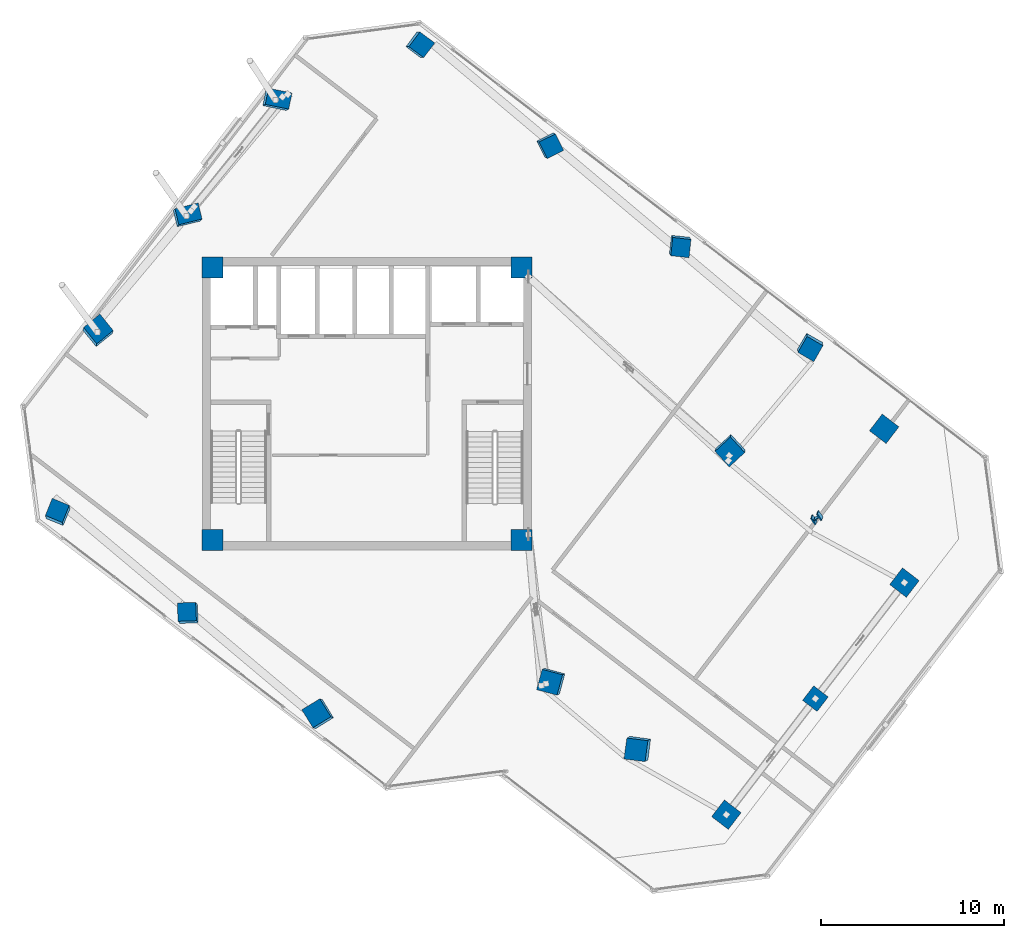
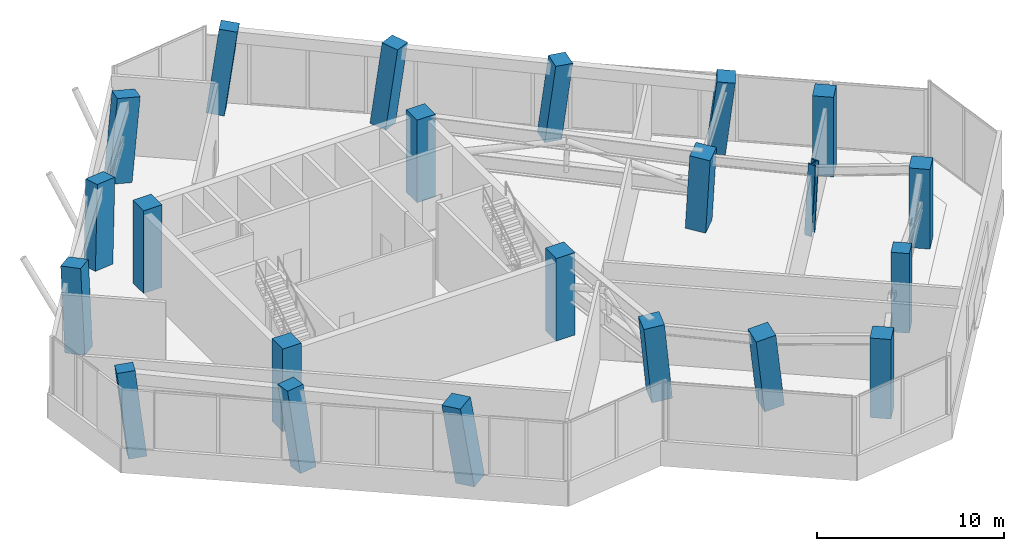
# One storey, part 1 of 22: 22 columns.
"""IFC4 building model written with IfcOpenShell, lengths in metres."""

from ifc_helpers import new_model, si_unit, direction, frame, origin, origin_2d, place, context, subcontext, project, spatial, rectangle, i_section, extrude, clip, halfspace, source, transform, mapped, material, material_profile, profile_set, type_object, element, save


model = new_model("IFC4")

# Units and contexts
model_context = context("Model", 3, precision=1e-05, world=origin(), true_north=direction((0.0, 1.0)))
body_context = subcontext(model_context, "Body", "Model", "MODEL_VIEW")
ifc_project = project(units=[si_unit("LENGTHUNIT", "METRE"), si_unit("AREAUNIT", "SQUARE_METRE"), si_unit("VOLUMEUNIT", "CUBIC_METRE"), si_unit("PLANEANGLEUNIT", "RADIAN"), si_unit("MASSUNIT", "GRAM", prefix="KILO")], contexts=[model_context])

# Site, building, storey
site_placement = place(None, origin())
site = spatial("IfcSite", under=ifc_project, at=site_placement, CompositionType="ELEMENT")
building_placement = place(site_placement, origin())
building = spatial("IfcBuilding", under=site, at=building_placement, Name="Torre Montelarca", CompositionType="ELEMENT")
storey_placement = place(building_placement, frame((0.0, 0.0, 209.800048828125)))
storey = spatial("IfcBuildingStorey", under=building, at=storey_placement, Name="L47", CompositionType="ELEMENT", Elevation=209.800048828125)

# Columns
ifc_material_1 = material(Name="Concrete C55/67", Category="concrete")
ifc_material_profile_1 = material_profile(ifc_material_1, rectangle(XDim=0.89990234375, YDim=1.300048828125, at=origin_2d()), Name="RC1300X900", Category="concrete")
ifc_profile_set_1 = profile_set([ifc_material_profile_1], Name="Concrete C55/67")
column_type_1 = type_object("IfcColumnType", Name="COL-PIL1300-EXT", PredefinedType="PILASTER", material=ifc_profile_set_1)
column_1_placement = place(storey_placement, frame((8.132080078125, 42.257568359375, 0.0), z_axis=(0.084445391956, 0.105231949976, 0.990855798026), x_axis=(0.241238242794, -0.966983758558, 0.082137207758)))
element("IfcColumn", 1, at=column_1_placement, inside=storey, type_object=column_type_1, Name="L47 Column 1W/E", PredefinedType="PILASTER", context=body_context, shape_type="Clipping", body=[
    clip(clip(extrude(rectangle(XDim=0.89990234375, YDim=1.300048828125, at=origin_2d()), origin(), (0.0, 0.0, 1.0), 5.44970703125), halfspace(frame((0.0, 0.0, 0.108154296875), z_axis=(0.0, 0.0, -1.0), x_axis=(1.0, 0.0, 0.0)), False)), halfspace(frame((0.0, 0.0, 5.341552734375), z_axis=(0.0, 0.0, 1.0), x_axis=(1.0, 0.0, 0.0)), False)),
])
column_2_placement = place(storey_placement, frame((13.002197265625, 48.6044921875, 0.0), z_axis=(0.134121551023, 0.064959537879, 0.988833488505), x_axis=(-0.1959437346, -0.976409676574, 0.090720429689)))
element("IfcColumn", 2, at=column_2_placement, inside=storey, type_object=column_type_1, Name="L47 Column 1W/F", PredefinedType="PILASTER", context=body_context, shape_type="Clipping", body=[
    clip(clip(extrude(rectangle(XDim=0.89990234375, YDim=1.300048828125, at=origin_2d()), origin(), (0.0, 0.0, 1.0), 5.4609375), halfspace(frame((0.0, 0.0, 0.11962890625), z_axis=(0.0, 0.0, -1.0), x_axis=(1.0, 0.0, 0.0)), False)), halfspace(frame((0.0, 0.0, 5.34130859375), z_axis=(0.0, 0.0, 1.0), x_axis=(1.0, 0.0, 0.0)), False)),
])
ifc_material_profile_2 = material_profile(ifc_material_1, rectangle(XDim=1.0, YDim=1.0, at=origin_2d()), Name="RC1000X1000", Category="concrete")
ifc_profile_set_2 = profile_set([ifc_material_profile_2], Name="Concrete C55/67")
column_type_2 = type_object("IfcColumnType", Name="COL-RC1000-EXT", PredefinedType="COLUMN", material=ifc_profile_set_2)
column_3_placement = place(storey_placement, frame((1.1123046875, 25.9638671875, 0.0), z_axis=(-0.044514743961, 0.163354405765, 0.985562669589), x_axis=(0.923184915789, -0.370278518826, 0.103070023551)))
element("IfcColumn", 3, at=column_3_placement, inside=storey, type_object=column_type_2, Name="L47 Column 2/CS", PredefinedType="COLUMN", context=body_context, shape_type="Clipping", body=[
    clip(clip(extrude(rectangle(XDim=1.0, YDim=1.0, at=origin_2d()), origin(), (0.0, 0.0, 1.0), 5.47900390625), halfspace(frame((0.0, 0.0, 0.12109375), z_axis=(0.0, 0.0, -1.0), x_axis=(1.0, 0.0, 0.0)), False)), halfspace(frame((0.0, 0.0, 5.35791015625), z_axis=(0.0, 0.0, 1.0), x_axis=(1.0, 0.0, 0.0)), False)),
])
column_4_placement = place(storey_placement, frame((20.805908203125, 51.62890625, 0.0), z_axis=(0.156689074069, 0.002098713731, 0.987645751), x_axis=(-0.590561389669, -0.801334557627, 0.095394820533)))
element("IfcColumn", 4, at=column_4_placement, inside=storey, type_object=column_type_2, Name="L47 Column 2/GN", PredefinedType="COLUMN", context=body_context, shape_type="Clipping", body=[
    clip(clip(extrude(rectangle(XDim=1.0, YDim=1.0, at=origin_2d()), origin(), (0.0, 0.0, 1.0), 5.467529296875), halfspace(frame((0.0, 0.0, 0.112060546875), z_axis=(0.0, 0.0, -1.0), x_axis=(1.0, 0.0, 0.0)), False)), halfspace(frame((0.0, 0.0, 5.35546875), z_axis=(0.0, 0.0, 1.0), x_axis=(1.0, 0.0, 0.0)), False)),
])
column_5_placement = place(storey_placement, frame((8.252685546875, 20.485107421875, 0.0), z_axis=(-0.089797034875, 0.107926545905, 0.990095123317), x_axis=(0.995364860446, 0.044089068892, 0.085468991996)))
element("IfcColumn", 5, at=column_5_placement, inside=storey, type_object=column_type_2, Name="L47 Column 3/CS", PredefinedType="COLUMN", context=body_context, shape_type="Clipping", body=[
    clip(clip(extrude(rectangle(XDim=1.0, YDim=1.0, at=origin_2d()), origin(), (0.0, 0.0, 1.0), 5.453857421875), halfspace(frame((0.0, 0.0, 0.10009765625), z_axis=(0.0, 0.0, -1.0), x_axis=(1.0, 0.0, 0.0)), False)), halfspace(frame((0.0, 0.0, 5.353759765625), z_axis=(0.0, 0.0, 1.0), x_axis=(1.0, 0.0, 0.0)), False)),
])
column_6_placement = place(storey_placement, frame((27.946044921875, 46.14990234375, 0.0), z_axis=(0.112283052496, -0.054145283405, 0.992199982064), x_axis=(-0.888657572236, -0.45224887108, 0.075885953337)))
element("IfcColumn", 6, at=column_6_placement, inside=storey, type_object=column_type_2, Name="L47 Column 3/GN", PredefinedType="COLUMN", context=body_context, shape_type="Clipping", body=[
    clip(clip(extrude(rectangle(XDim=1.0, YDim=1.0, at=origin_2d()), origin(), (0.0, 0.0, 1.0), 5.4423828125), halfspace(frame((0.0, 0.0, 0.0888671875), z_axis=(0.0, 0.0, -1.0), x_axis=(1.0, 0.0, 0.0)), False)), halfspace(frame((0.0, 0.0, 5.353515625), z_axis=(0.0, 0.0, 1.0), x_axis=(1.0, 0.0, 0.0)), False)),
])
column_7_placement = place(storey_placement, frame((35.086181640625, 40.671142578125, 0.0), z_axis=(0.067071010538, -0.110335399021, 0.991628750727), x_axis=(-0.991493864519, 0.103736571478, 0.078604327865)))
element("IfcColumn", 7, at=column_7_placement, inside=storey, type_object=column_type_2, Name="L47 Column 4/GN", PredefinedType="COLUMN", context=body_context, shape_type="Clipping", body=[
    clip(clip(extrude(rectangle(XDim=1.0, YDim=1.0, at=origin_2d()), origin(), (0.0, 0.0, 1.0), 5.445556640625), halfspace(frame((0.0, 0.0, 0.092041015625), z_axis=(0.0, 0.0, -1.0), x_axis=(1.0, 0.0, 0.0)), False)), halfspace(frame((0.0, 0.0, 5.353515625), z_axis=(0.0, 0.0, 1.0), x_axis=(1.0, 0.0, 0.0)), False)),
])
column_8_placement = place(storey_placement, frame((42.226318359375, 35.1923828125, 0.0), z_axis=(0.021842491173, -0.165646320817, 0.985943305662), x_axis=(-0.865009771879, 0.491337730727, 0.101711990035)))
element("IfcColumn", 8, at=column_8_placement, inside=storey, type_object=column_type_2, Name="L47 Column 5/GN", PredefinedType="COLUMN", context=body_context, shape_type="Clipping", body=[
    clip(clip(extrude(rectangle(XDim=1.0, YDim=1.0, at=origin_2d()), origin(), (0.0, 0.0, 1.0), 5.476806640625), halfspace(frame((0.0, 0.0, 0.11962890625), z_axis=(0.0, 0.0, -1.0), x_axis=(1.0, 0.0, 0.0)), False)), halfspace(frame((0.0, 0.0, 5.357177734375), z_axis=(0.0, 0.0, 1.0), x_axis=(1.0, 0.0, 0.0)), False)),
])
ifc_material_profile_3 = material_profile(ifc_material_1, rectangle(XDim=1.14990234375, YDim=1.14990234375, at=origin_2d()), Name="RC1150X1150", Category="concrete")
ifc_profile_set_3 = profile_set([ifc_material_profile_3], Name="Concrete C55/67")
column_type_3 = type_object("IfcColumnType", Name="COL-RC1150", PredefinedType="COLUMN", material=ifc_profile_set_3)
for number, where, z_axis, x_axis, name in (
    (9, (28.133544921875, 16.826171875, 0.0), (-0.122652216643, -0.050459041264, 0.991166140921), (0.256167546382, 0.96325470145, 0.080737651157), "L47 Column 5/D"),
    (10, (37.873779296875, 29.519775390625, 0.0), (-0.022719988181, -0.130673541494, 0.991165085993), (-0.678268383342, 0.730364742344, 0.080742450417), "L47 Column 5/F"),
):
    element("IfcColumn", number, at=place(storey_placement, frame(where, z_axis=z_axis, x_axis=x_axis)), inside=storey, type_object=column_type_3, Name=name, PredefinedType="COLUMN", context=body_context, shape_type="Clipping", body=[
        clip(clip(extrude(rectangle(XDim=1.14990234375, YDim=1.14990234375, at=origin_2d()), origin(), (0.0, 0.0, 1.0), 5.447998046875), halfspace(frame((0.0, 0.0, 0.108642578125), z_axis=(0.0, 0.0, -1.0), x_axis=(1.0, 0.0, 0.0)), False)), halfspace(frame((0.0, 0.0, 5.33935546875), z_axis=(0.0, 0.0, 1.0), x_axis=(1.0, 0.0, 0.0)), False)),
    ])
column_9_placement = place(storey_placement, frame((32.893798828125, 13.173583984375, 0.0), z_axis=(-0.151747098508, -0.087335819088, 0.984553336696), x_axis=(0.123726754835, 0.986575562311, 0.106584942603)))
element("IfcColumn", 11, at=column_9_placement, inside=storey, type_object=column_type_3, Name="L47 Column 6/D", PredefinedType="COLUMN", context=body_context, shape_type="Clipping", body=[
    clip(clip(extrude(rectangle(XDim=1.14990234375, YDim=1.14990234375, at=origin_2d()), origin(), (0.0, 0.0, 1.0), 5.484619140625), halfspace(frame((0.0, 0.0, 0.14404296875), z_axis=(0.0, 0.0, -1.0), x_axis=(1.0, 0.0, 0.0)), False)), halfspace(frame((0.0, 0.0, 5.340576171875), z_axis=(0.0, 0.0, 1.0), x_axis=(1.0, 0.0, 0.0)), False)),
])
ifc_material_profile_4 = material_profile(ifc_material_1, rectangle(XDim=1.14990234375, YDim=1.14990234375, at=origin_2d()), Name="RC1150X1150", Category="concrete")
ifc_profile_set_4 = profile_set([ifc_material_profile_4], Name="Concrete C55/67")
column_type_4 = type_object("IfcColumnType", Name="COL-RC1150-EXT", PredefinedType="COLUMN", material=ifc_profile_set_4)
column_10_placement = place(storey_placement, frame((15.392578125, 15.006103515625, 0.0), z_axis=(-0.134752080978, 0.051807074958, 0.989524079372), x_axis=(0.846959808936, 0.524342635699, 0.087885621321)))
element("IfcColumn", 12, at=column_10_placement, inside=storey, type_object=column_type_4, Name="L47 Column 4/CS", PredefinedType="COLUMN", context=body_context, shape_type="Clipping", body=[
    clip(clip(extrude(rectangle(XDim=1.14990234375, YDim=1.14990234375, at=origin_2d()), origin(), (0.0, 0.0, 1.0), 5.45703125), halfspace(frame((0.0, 0.0, 0.118408203125), z_axis=(0.0, 0.0, -1.0), x_axis=(1.0, 0.0, 0.0)), False)), halfspace(frame((0.0, 0.0, 5.338623046875), z_axis=(0.0, 0.0, 1.0), x_axis=(1.0, 0.0, 0.0)), False)),
])
column_11_placement = place(storey_placement, frame((3.261962890625, 35.910888671875, 0.0), z_axis=(0.034424574777, 0.144985579222, 0.988834733648), x_axis=(0.632832772712, -0.768956044251, 0.090715399969)))
element("IfcColumn", 13, at=column_11_placement, inside=storey, type_object=column_type_4, Name="L47 Column 1W/D", PredefinedType="COLUMN", context=body_context, shape_type="Clipping", body=[
    clip(clip(extrude(rectangle(XDim=1.14990234375, YDim=1.14990234375, at=origin_2d()), origin(), (0.0, 0.0, 1.0), 5.4609375), halfspace(frame((0.0, 0.0, 0.122314453125), z_axis=(0.0, 0.0, -1.0), x_axis=(1.0, 0.0, 0.0)), False)), halfspace(frame((0.0, 0.0, 5.338623046875), z_axis=(0.0, 0.0, 1.0), x_axis=(1.0, 0.0, 0.0)), False)),
])
ifc_material_2 = material(Name="Steel ASTM A992 Grade 50", Category="steel")
ifc_material_profile_5 = material_profile(ifc_material_2, i_section(OverallWidth=0.4208984375, OverallDepth=0.465087890625, WebThickness=0.044921875, FlangeThickness=0.072265625, FilletRadius=0.014892578125, at=origin_2d()), Name="W360X592", Category="steel")
ifc_profile_set_5 = profile_set([ifc_material_profile_5], Name="Steel ASTM A992 Grade 50")
column_type_5 = type_object("IfcColumnType", Name="COL-W360X592", PredefinedType="COLUMN", material=ifc_profile_set_5)
column_12_placement = place(storey_placement, frame((42.6337890625, 25.8671875, 0.0), z_axis=(-0.052437390045, -0.167016203266, 0.984558737695), x_axis=(-0.577385287921, 0.80948738137, 0.106566452018)))
element("IfcColumn", 14, at=column_12_placement, inside=storey, type_object=column_type_5, Name="L47 Column 6/F", PredefinedType="COLUMN", context=body_context, shape_type="Clipping", body=[
    clip(clip(extrude(i_section(OverallWidth=0.4208984375, OverallDepth=0.465087890625, WebThickness=0.044921875, FlangeThickness=0.072265625, FilletRadius=0.014892578125, at=origin_2d()), origin(), (0.0, 0.0, 1.0), 5.484619140625), halfspace(frame((0.0, 0.0, 0.056396484375), z_axis=(0.0, 0.0, -1.0), x_axis=(1.0, 0.0, 0.0)), False)), halfspace(frame((0.0, 0.0, 5.42822265625), z_axis=(0.0, 0.0, 1.0), x_axis=(1.0, 0.0, 0.0)), False)),
])
shared_shape_1 = source(origin(), body_context, "Body", "SweptSolid", [
    extrude(rectangle(XDim=1.14990234375, YDim=1.14990234375, at=origin_2d()), origin(), (0.0, 0.0, 1.0), 5.3984375),
])
for number, where, z_axis, x_axis, name in (
    (15, (9.550048828125, 24.550048828125, 0.000732421875), (0.0, 0.0, 1.0), (1.0, 0.0, 0.0), "L47 Plumb Core Corner Column 2D"),
    (16, (26.449951171875, 24.550048828125, 0.000732421875), (0.0, 0.0, 1.0), (1.0, 0.0, 0.0), "L47 Plumb Core Corner Column 4D"),
    (17, (9.550048828125, 39.449951171875, 0.000732421875), (0.0, 0.0, 1.0), (1.0, 0.0, 0.0), "L47 Plumb Core Corner Column 2F"),
    (18, (26.449951171875, 39.449951171875, 0.000732421875), (0.0, 0.0, 1.0), (1.0, 0.0, 0.0), "L47 Plumb Core Corner Column 4F"),
):
    element("IfcColumn", number, at=place(storey_placement, frame(where, z_axis=z_axis, x_axis=x_axis)), inside=storey, type_object=column_type_3, Name=name, PredefinedType="COLUMN", context=body_context, shape_type="MappedRepresentation", body=[
        mapped(shared_shape_1, transform((0.0, 0.0, 0.0), scale=1.0)),
    ])
shared_shape_2 = source(origin(), body_context, "Body", "SweptSolid", [
    extrude(rectangle(XDim=1.14990234375, YDim=1.14990234375, at=origin_2d()), origin(), (0.0, 0.0, 1.0), 5.19921875),
])
column_13_placement = place(storey_placement, frame((46.286376953125, 30.627197265625, 0.000732421875), z_axis=(0.0, 0.0, 1.0), x_axis=(-0.793353340291, 0.608761429009, 0.0)))
element("IfcColumn", 19, at=column_13_placement, inside=storey, type_object=column_type_3, Name="L47 Column 6/G", PredefinedType="COLUMN", context=body_context, shape_type="MappedRepresentation", body=[
    mapped(shared_shape_2, transform((0.0, 0.0, 0.0), scale=1.0)),
])
shared_shape_3 = source(origin(), body_context, "Body", "SweptSolid", [
    extrude(rectangle(XDim=1.14990234375, YDim=1.14990234375, at=origin_2d()), origin(), (0.0, 0.0, 1.0), 5.19921875),
])
for number, where, z_axis, x_axis, name in (
    (20, (37.65380859375, 9.52099609375, 0.000732421875), (0.0, 0.0, 1.0), (-0.793353340291, 0.608761429009, 0.0), "L47 Column 7/D"),
    (21, (47.39404296875, 22.214599609375, 0.000732421875), (0.0, 0.0, 1.0), (-0.793353340291, 0.608761429009, 0.0), "L47 Column 7/F"),
):
    element("IfcColumn", number, at=place(storey_placement, frame(where, z_axis=z_axis, x_axis=x_axis)), inside=storey, type_object=column_type_4, Name=name, PredefinedType="COLUMN", context=body_context, shape_type="MappedRepresentation", body=[
        mapped(shared_shape_3, transform((0.0, 0.0, 0.0), scale=1.0)),
    ])
shared_shape_4 = source(origin(), body_context, "Body", "SweptSolid", [
    extrude(rectangle(XDim=1.0, YDim=1.0, at=origin_2d()), origin(), (0.0, 0.0, 1.0), 5.19921875),
])
column_14_placement = place(storey_placement, frame((42.52392578125, 15.867919921875, 0.000732421875), z_axis=(0.0, 0.0, 1.0), x_axis=(-0.793353340291, 0.608761429009, 0.0)))
element("IfcColumn", 22, at=column_14_placement, inside=storey, type_object=column_type_2, Name="L47 Column 7/E", PredefinedType="COLUMN", context=body_context, shape_type="MappedRepresentation", body=[
    mapped(shared_shape_4, transform((0.0, 0.0, 0.0), scale=1.0)),
])

save(model, "model.ifc")
